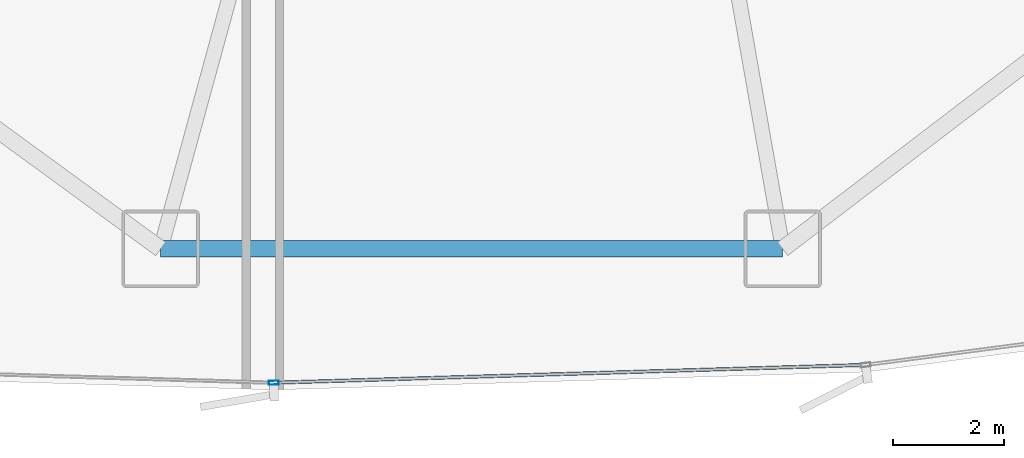
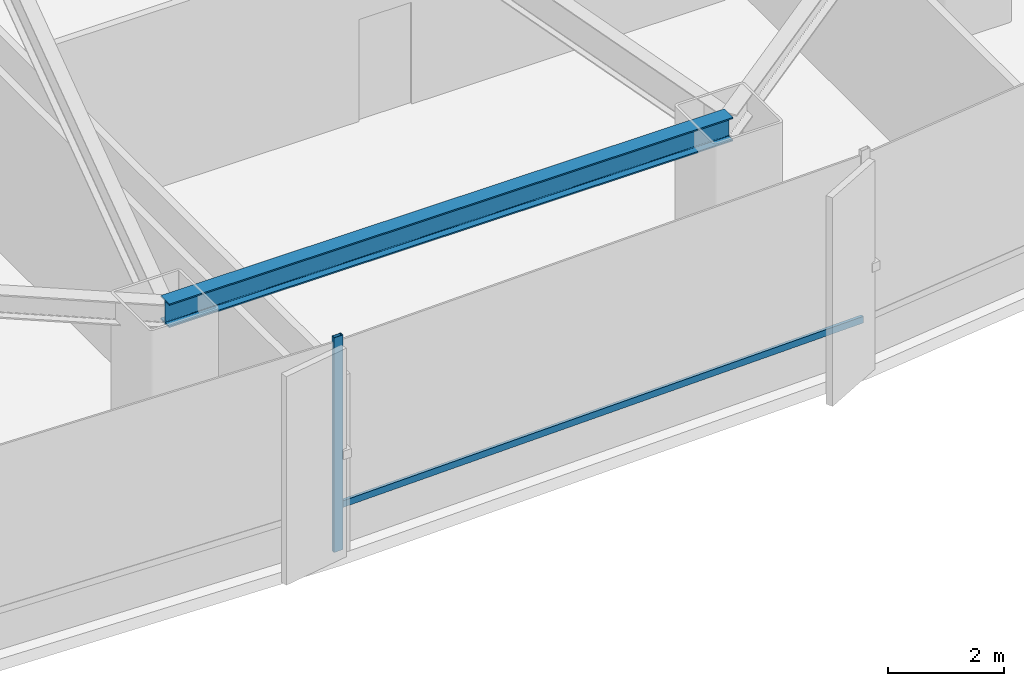
# One storey, part 6 of 33: 2 members, 1 beam, 1 element without a shape of its own.
"""IFC4 building model written with IfcOpenShell, lengths in metres."""

from ifc_helpers import new_model, si_unit, direction, frame, origin, origin_2d, place, context, subcontext, project, spatial, hollow_rectangle, i_section, extrude, source, transform, mapped, material, layer, layer_set, material_profile, profile_set, type_object, element, aggregate, save


model = new_model("IFC4")

# Units and contexts
model_context = context("Model", 3, precision=1e-05, world=origin(), true_north=direction((0.0, 1.0)))
body_context = subcontext(model_context, "Body", "Model", "MODEL_VIEW")
ifc_project = project(units=[si_unit("LENGTHUNIT", "METRE"), si_unit("AREAUNIT", "SQUARE_METRE"), si_unit("VOLUMEUNIT", "CUBIC_METRE"), si_unit("PLANEANGLEUNIT", "RADIAN"), si_unit("MASSUNIT", "GRAM", prefix="KILO"), si_unit("THERMODYNAMICTEMPERATUREUNIT", "KELVIN")], contexts=[model_context])

# Site, building, storey
site_placement = place(None, origin())
site = spatial("IfcSite", under=ifc_project, at=site_placement, CompositionType="ELEMENT")
building_placement = place(site_placement, origin())
building = spatial("IfcBuilding", under=site, at=building_placement, Name="Kethvar Cultural Tower", CompositionType="ELEMENT")
storey_placement = place(building_placement, frame((0.0, 0.0, 10.0)))
storey = spatial("IfcBuildingStorey", under=building, at=storey_placement, Name="L02", CompositionType="ELEMENT", Elevation=10.0)

# Beam
ifc_material_1 = material(Name="Steel S355J2", Category="steel")
ifc_material_profile_1 = material_profile(ifc_material_1, i_section(OverallWidth=0.300048828125, OverallDepth=0.5, WebThickness=0.014404296875, FlangeThickness=0.028076171875, FilletRadius=0.027099609375, at=origin_2d()), Name="Steel S355J2 — HEB500")
ifc_profile_set_1 = profile_set([ifc_material_profile_1], Name="Steel S355J2 — HEB500")
beam_type = type_object("IfcBeamType", Name="BM-SP500", PredefinedType="SPANDREL", material=ifc_profile_set_1)
shared_shape_1 = source(origin(), body_context, "Body", "SweptSolid", [
    extrude(i_section(OverallWidth=0.300048828125, OverallDepth=0.5, WebThickness=0.014404296875, FlangeThickness=0.028076171875, FilletRadius=0.027099609375, at=origin_2d()), origin(), (0.0, 0.0, 1.0), 11.25),
])
beam_placement = place(storey_placement, frame((39.949951171875, 2.75, 4.278076171875), z_axis=(1.0, 0.0, 0.0), x_axis=(0.0, 1.0, 0.0)))
element("IfcBeam", 1, at=beam_placement, inside=storey, type_object=beam_type, Name="L02 Podium Ring Beam 12", PredefinedType="SPANDREL", context=body_context, shape_type="MappedRepresentation", body=[
    mapped(shared_shape_1, transform((0.0, 0.0, 0.0), scale=1.0)),
])

# Curtain wall, members
ifc_material_2 = material(Name="Aluminium 6063-T6", Category="aluminium")
ifc_layer = layer(ifc_material_2, 0.179931640625, Name="Aluminium 6063-T6", Category="aluminium")
ifc_layer_set = layer_set([ifc_layer], Name="Aluminium 6063-T6 (180 mm)")
curtain_wall_type = type_object("IfcCurtainWallType", Name="CW-SYS-01-POD", PredefinedType="NOTDEFINED", material=ifc_layer_set)
curtain_wall_placement = place(storey_placement, origin())
curtain_wall = element("IfcCurtainWall", 2, at=curtain_wall_placement, inside=storey, type_object=curtain_wall_type, Name="L02 Curtain Wall Run 05", PredefinedType="NOTDEFINED")
ifc_material_profile_2 = material_profile(ifc_material_2, hollow_rectangle(XDim=0.06005859375, YDim=0.139892578125, WallThickness=0.0048828125, at=origin_2d()), Name="Aluminium 6063-T6 — RHS140x60x5")
ifc_profile_set_2 = profile_set([ifc_material_profile_2], Name="Aluminium 6063-T6 — RHS140x60x5")
member_type_1 = type_object("IfcMemberType", Name="CW-SYS-01-POD-TRN", PredefinedType="USERDEFINED", material=ifc_profile_set_2)
shared_shape_2 = source(origin(), body_context, "Body", "SweptSolid", [
    extrude(hollow_rectangle(XDim=0.06005859375, YDim=0.139892578125, WallThickness=0.0048828125, at=origin_2d()), origin(), (0.0, 0.0, 1.0), 10.61279296875),
])
member_1_placement = place(storey_placement, frame((42.050048828125, 0.33154296875, 0.949951171875), z_axis=(0.999545810513, 0.030135903608, 0.0), x_axis=(-0.030135903608, 0.999545810513, 0.0)))
member_1 = element("IfcMember", 3, at=member_1_placement, type_object=member_type_1, Name="CW-L02-R05 Transom 2", ObjectType="TRANSOM", PredefinedType="USERDEFINED", context=body_context, shape_type="MappedRepresentation", body=[
    mapped(shared_shape_2, transform((0.0, 0.0, 0.0), scale=1.0)),
])
ifc_material_profile_3 = material_profile(ifc_material_2, hollow_rectangle(XDim=0.074951171875, YDim=0.179931640625, WallThickness=0.006103515625, at=origin_2d()), Name="Aluminium 6063-T6 — RHS180x75x6")
ifc_profile_set_3 = profile_set([ifc_material_profile_3], Name="Aluminium 6063-T6 — RHS180x75x6")
member_type_2 = type_object("IfcMemberType", Name="CW-SYS-01-POD-MUL", PredefinedType="MULLION", material=ifc_profile_set_3)
shared_shape_3 = source(origin(), body_context, "Body", "SweptSolid", [
    extrude(hollow_rectangle(XDim=0.074951171875, YDim=0.179931640625, WallThickness=0.006103515625, at=origin_2d()), origin(), (0.0, 0.0, 1.0), 4.530029296875),
])
member_2_placement = place(storey_placement, frame((41.99609375, 0.329833984375, 0.0), z_axis=(0.0, 0.0, 1.0), x_axis=(-0.030137272261, 0.999545769248, 0.0)))
member_2 = element("IfcMember", 4, at=member_2_placement, type_object=member_type_2, Name="CW-L02-R05 Mullion 2", PredefinedType="MULLION", context=body_context, shape_type="MappedRepresentation", body=[
    mapped(shared_shape_3, transform((0.0, 0.0, 0.0), scale=1.0)),
])
aggregate(curtain_wall, [member_2, member_1])

save(model, "model.ifc")
